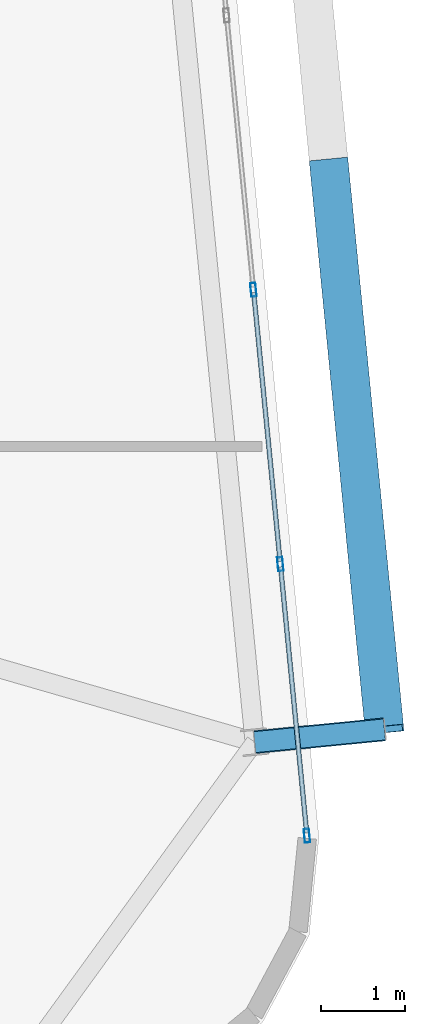
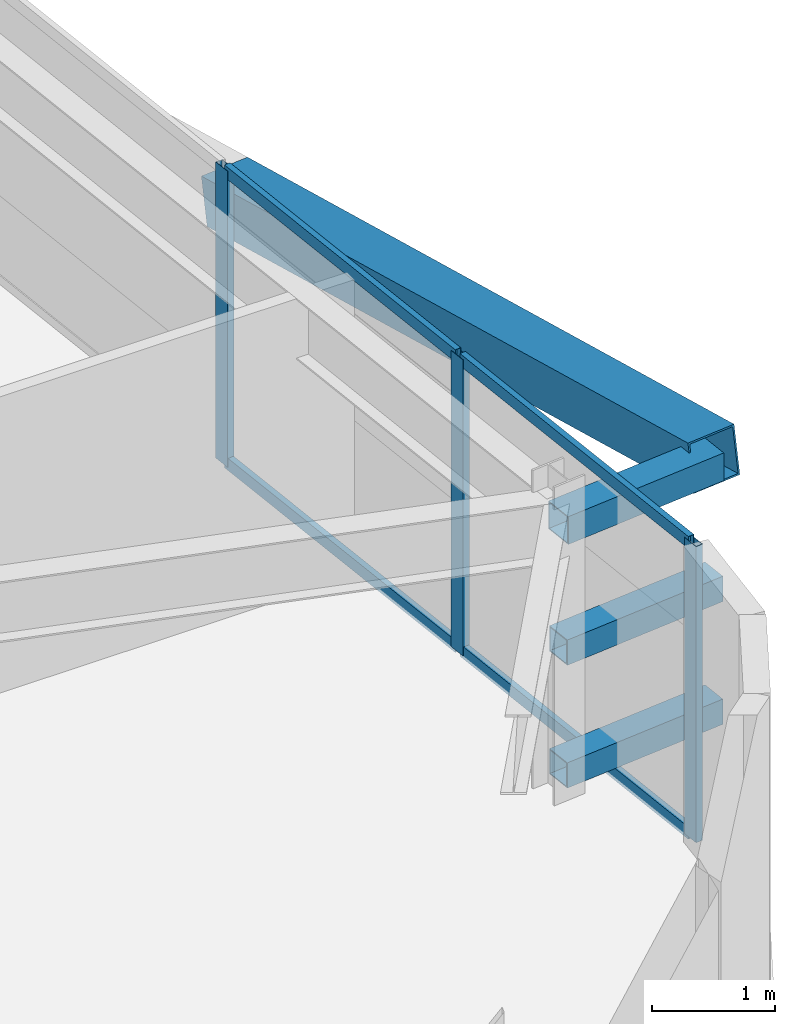
# One storey, part 22 of 52: 11 members, 1 element without a shape of its own.
"""IFC4 building model written with IfcOpenShell, lengths in metres."""

from ifc_helpers import new_model, si_unit, direction, frame, origin, origin_2d, place, context, subcontext, project, spatial, hollow_rectangle, extrude, source, transform, mapped, material, layer, layer_set, material_profile, profile_set, type_object, element, aggregate, save


model = new_model("IFC4")

# Units and contexts
model_context = context("Model", 3, precision=1e-05, world=origin(), true_north=direction((0.0, 1.0)))
body_context = subcontext(model_context, "Body", "Model", "MODEL_VIEW")
ifc_project = project(units=[si_unit("LENGTHUNIT", "METRE"), si_unit("AREAUNIT", "SQUARE_METRE"), si_unit("VOLUMEUNIT", "CUBIC_METRE"), si_unit("PLANEANGLEUNIT", "RADIAN"), si_unit("MASSUNIT", "GRAM", prefix="KILO")], contexts=[model_context])

# Site, building, storey
site_placement = place(None, origin())
site = spatial("IfcSite", under=ifc_project, at=site_placement, CompositionType="ELEMENT")
building_placement = place(site_placement, origin())
building = spatial("IfcBuilding", under=site, at=building_placement, Name="Taldren Reach Tower", CompositionType="ELEMENT")
storey_placement = place(building_placement, frame((0.0, 0.0, 77.699951171875)))
storey = spatial("IfcBuildingStorey", under=building, at=storey_placement, Name="L23", CompositionType="ELEMENT", Elevation=77.699951171875)

# Members
ifc_material_1 = material(Name="Steel Gr 450 (C450L0)", Category="steel")
ifc_material_profile_1 = material_profile(ifc_material_1, hollow_rectangle(XDim=0.27490234375, YDim=0.27490234375, WallThickness=0.00927734375, at=origin_2d()), Name="275x275x9.3SHS")
ifc_profile_set_1 = profile_set([ifc_material_profile_1], Name="Steel Gr 450 (C450L0)")
member_type_1 = type_object("IfcMemberType", Name="MB-TIE273", PredefinedType="STRUT", material=ifc_profile_set_1)
shared_shape_1 = source(origin(), body_context, "Body", "SweptSolid", [
    extrude(hollow_rectangle(XDim=0.27490234375, YDim=0.27490234375, WallThickness=0.00927734375, at=origin_2d()), origin(), (0.0, 0.0, 1.0), 1.550048828125),
])
member_1_placement = place(storey_placement, frame((65.8916015625, 8.483642578125, 2.650146484375), z_axis=(0.995236318924, 0.097491894511, 0.0), x_axis=(-0.097491894511, 0.995236318924, 0.0)))
element("IfcMember", 1, at=member_1_placement, inside=storey, type_object=member_type_1, Name="Exoskeleton diaphragm tie strut B2-E1 L23", PredefinedType="STRUT", context=body_context, shape_type="MappedRepresentation", body=[
    mapped(shared_shape_1, transform((0.0, 0.0, 0.0), scale=1.0)),
])
ifc_material_2 = material(Name="Steel Gr 350 (C350L0)", Category="steel")
ifc_material_profile_2 = material_profile(ifc_material_2, hollow_rectangle(XDim=0.25, YDim=0.25, WallThickness=0.010009765625, at=origin_2d()), Name="250x250x10.0SHS")
ifc_profile_set_2 = profile_set([ifc_material_profile_2], Name="Steel Gr 350 (C350L0)")
member_type_2 = type_object("IfcMemberType", Name="MB-POST250", PredefinedType="POST", material=ifc_profile_set_2)
shared_shape_2 = source(origin(), body_context, "Body", "SweptSolid", [
    extrude(hollow_rectangle(XDim=0.25, YDim=0.25, WallThickness=0.010009765625, at=origin_2d()), origin(), (0.0, 0.0, 1.0), 1.550048828125),
])
for number, where, z_axis, x_axis, name in (
    (2, (65.8916015625, 8.483642578125, 0.219970703125), (0.995236318924, 0.097491894511, 0.0), (-0.097491894511, 0.995236318924, 0.0), "Exoskeleton base diaphragm tie strut B2-E1 L23"),
    (3, (65.8916015625, 8.483642578125, 1.43505859375), (0.995236318924, 0.097491894511, 0.0), (-0.097491894511, 0.995236318924, 0.0), "Exoskeleton mid-tier diaphragm tie B2-E1 L23"),
):
    element("IfcMember", number, at=place(storey_placement, frame(where, z_axis=z_axis, x_axis=x_axis)), inside=storey, type_object=member_type_2, Name=name, PredefinedType="POST", context=body_context, shape_type="MappedRepresentation", body=[
        mapped(shared_shape_2, transform((0.0, 0.0, 0.0), scale=1.0)),
    ])
ifc_material_profile_3 = material_profile(ifc_material_1, hollow_rectangle(XDim=0.4599609375, YDim=0.4599609375, WallThickness=0.01611328125, at=origin_2d()), Name="460x460x16.0SHS")
ifc_profile_set_3 = profile_set([ifc_material_profile_3], Name="Steel Gr 450 (C450L0)")
member_type_3 = type_object("IfcMemberType", Name="MB-EXO457", PredefinedType="BRACE", material=ifc_profile_set_3)
shared_shape_3 = source(origin(), body_context, "Body", "SweptSolid", [
    extrude(hollow_rectangle(XDim=0.4599609375, YDim=0.4599609375, WallThickness=0.01611328125, at=origin_2d()), origin(), (0.0, 0.0, 1.0), 6.883056640625),
])
member_2_placement = place(storey_placement, frame((66.773193359375, 15.37744140625, 1.43505859375), z_axis=(0.09605145821, -0.97959718347, 0.176531797456), x_axis=(0.995227290009, 0.097584021339, 0.0)))
element("IfcMember", 4, at=member_2_placement, inside=storey, type_object=member_type_3, Name="Exoskeleton Diagrid Brace B2-E1 L23", PredefinedType="BRACE", context=body_context, shape_type="MappedRepresentation", body=[
    mapped(shared_shape_3, transform((0.0, 0.0, 0.0), scale=1.0)),
])

# Curtain wall, members
ifc_material_3 = material(Name="Aluminium and Low-E Glass Unitised System", Category="aluminium")
ifc_layer = layer(ifc_material_3, 0.159912109375)
ifc_layer_set = layer_set([ifc_layer], Name="Aluminium and Low-E Glass Unitised System")
curtain_wall_type = type_object("IfcCurtainWallType", Name="CW-SYS-3", PredefinedType="NOTDEFINED", material=ifc_layer_set)
curtain_wall_placement = place(storey_placement, origin())
curtain_wall = element("IfcCurtainWall", 5, at=curtain_wall_placement, inside=storey, type_object=curtain_wall_type, Name="Unitised curtain wall CW-L23-E", PredefinedType="NOTDEFINED")
ifc_material_4 = material(Name="Anodised Aluminium 6063-T6", Category="aluminium")
ifc_material_profile_4 = material_profile(ifc_material_4, hollow_rectangle(XDim=0.06494140625, YDim=0.1650390625, WallThickness=0.00390625, at=origin_2d()), Name="ALU-165x65x4RHS")
ifc_profile_set_4 = profile_set([ifc_material_profile_4], Name="Anodised Aluminium 6063-T6")
member_type_4 = type_object("IfcMemberType", Name="CW-MUL-165", PredefinedType="MULLION", material=ifc_profile_set_4)
shared_shape_4 = source(origin(), body_context, "Body", "SweptSolid", [
    extrude(hollow_rectangle(XDim=0.06494140625, YDim=0.1650390625, WallThickness=0.00390625, at=origin_2d()), origin(), (0.0, 0.0, 1.0), 2.929931640625),
])
member_3_placement = place(storey_placement, frame((66.51318359375, 7.371337890625, 0.0), z_axis=(0.0, 0.0, 1.0), x_axis=(-0.99522741555, -0.09758274098, 0.0)))
member_3 = element("IfcMember", 6, at=member_3_placement, type_object=member_type_4, Name="CW-3 mullion 1", PredefinedType="MULLION", context=body_context, shape_type="MappedRepresentation", body=[
    mapped(shared_shape_4, transform((0.0, 0.0, 0.0), scale=1.0)),
])
member_4_placement = place(storey_placement, frame((66.196533203125, 10.60107421875, 0.0), z_axis=(0.0, 0.0, 1.0), x_axis=(-0.99522741555, -0.09758274098, 0.0)))
member_4 = element("IfcMember", 7, at=member_4_placement, type_object=member_type_4, Name="CW-3 mullion 2", PredefinedType="MULLION", context=body_context, shape_type="MappedRepresentation", body=[
    mapped(shared_shape_4, transform((0.0, 0.0, 0.0), scale=1.0)),
])
member_5_placement = place(storey_placement, frame((65.876708984375, 13.86328125, 0.0), z_axis=(0.0, 0.0, 1.0), x_axis=(-0.99522741555, -0.09758274098, 0.0)))
member_5 = element("IfcMember", 8, at=member_5_placement, type_object=member_type_4, Name="CW-3 mullion 3", PredefinedType="MULLION", context=body_context, shape_type="MappedRepresentation", body=[
    mapped(shared_shape_4, transform((0.0, 0.0, 0.0), scale=1.0)),
])
ifc_material_profile_5 = material_profile(ifc_material_4, hollow_rectangle(XDim=0.054931640625, YDim=0.1201171875, WallThickness=0.0029296875, at=origin_2d()), Name="ALU-120x55x3RHS")
ifc_profile_set_5 = profile_set([ifc_material_profile_5], Name="Anodised Aluminium 6063-T6")
member_type_5 = type_object("IfcMemberType", Name="CW-TRN-135", PredefinedType="USERDEFINED", material=ifc_profile_set_5)
shared_shape_5 = source(origin(), body_context, "Body", "SweptSolid", [
    extrude(hollow_rectangle(XDim=0.054931640625, YDim=0.1201171875, WallThickness=0.0029296875, at=origin_2d()), origin(), (0.0, 0.0, 1.0), 3.18017578125),
])
member_6_placement = place(storey_placement, frame((66.510009765625, 7.40380859375, 0.027587890625), z_axis=(-0.097572914968, 0.995228378949, 0.0), x_axis=(-0.995228378949, -0.097572914968, 0.0)))
member_6 = element("IfcMember", 9, at=member_6_placement, type_object=member_type_5, Name="CW-3 transom 1.1", ObjectType="TRANSOM", PredefinedType="USERDEFINED", context=body_context, shape_type="MappedRepresentation", body=[
    mapped(shared_shape_5, transform((0.0, 0.0, 0.0), scale=1.0)),
])
member_7_placement = place(storey_placement, frame((66.510009765625, 7.40380859375, 2.902587890625), z_axis=(-0.097572914968, 0.995228378949, 0.0), x_axis=(-0.995228378949, -0.097572914968, 0.0)))
member_7 = element("IfcMember", 10, at=member_7_placement, type_object=member_type_5, Name="CW-3 transom 1.2", ObjectType="TRANSOM", PredefinedType="USERDEFINED", context=body_context, shape_type="MappedRepresentation", body=[
    mapped(shared_shape_5, transform((0.0, 0.0, 0.0), scale=1.0)),
])
shared_shape_6 = source(origin(), body_context, "Body", "SweptSolid", [
    extrude(hollow_rectangle(XDim=0.054931640625, YDim=0.1201171875, WallThickness=0.0029296875, at=origin_2d()), origin(), (0.0, 0.0, 1.0), 3.212890625),
])
member_8_placement = place(storey_placement, frame((66.193359375, 10.633544921875, 0.027587890625), z_axis=(-0.097569948235, 0.995228669805, 0.0), x_axis=(-0.995228669805, -0.097569948235, 0.0)))
member_8 = element("IfcMember", 11, at=member_8_placement, type_object=member_type_5, Name="CW-3 transom 2.1", ObjectType="TRANSOM", PredefinedType="USERDEFINED", context=body_context, shape_type="MappedRepresentation", body=[
    mapped(shared_shape_6, transform((0.0, 0.0, 0.0), scale=1.0)),
])
member_9_placement = place(storey_placement, frame((66.193359375, 10.633544921875, 2.902587890625), z_axis=(-0.097569948235, 0.995228669805, 0.0), x_axis=(-0.995228669805, -0.097569948235, 0.0)))
member_9 = element("IfcMember", 12, at=member_9_placement, type_object=member_type_5, Name="CW-3 transom 2.2", ObjectType="TRANSOM", PredefinedType="USERDEFINED", context=body_context, shape_type="MappedRepresentation", body=[
    mapped(shared_shape_6, transform((0.0, 0.0, 0.0), scale=1.0)),
])
aggregate(curtain_wall, [member_3, member_4, member_5, member_6, member_7, member_8, member_9])

save(model, "model.ifc")
